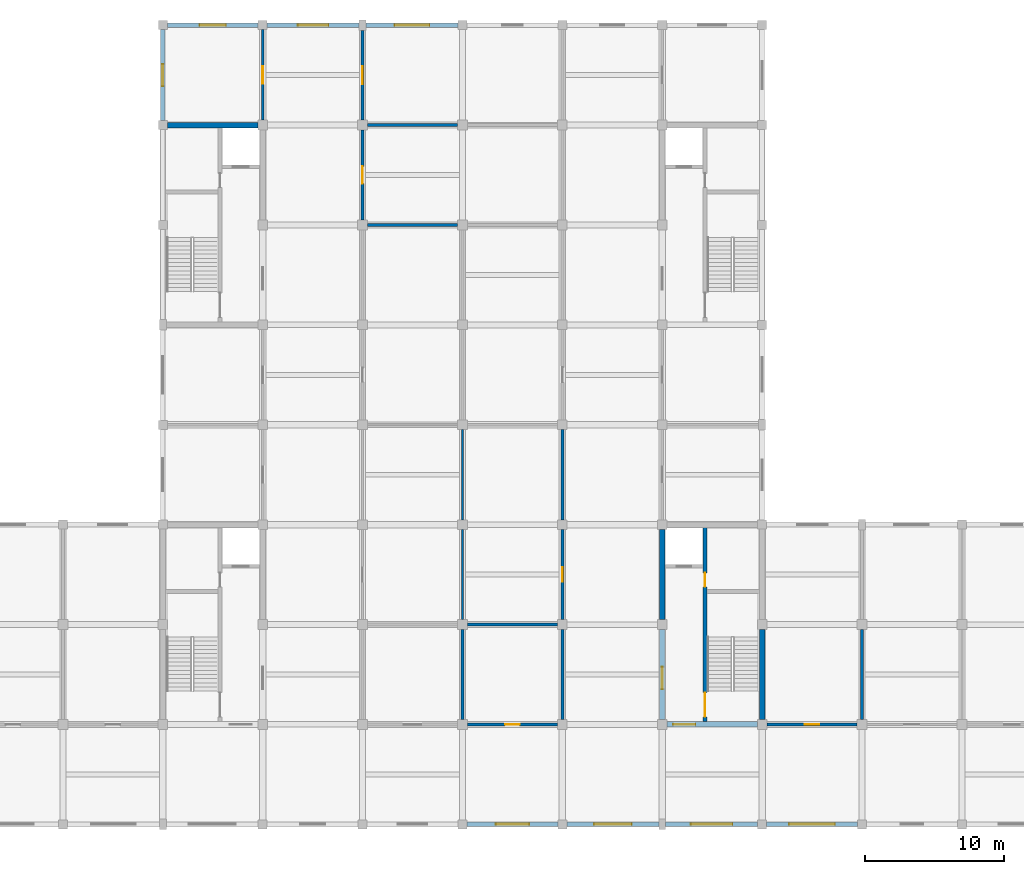
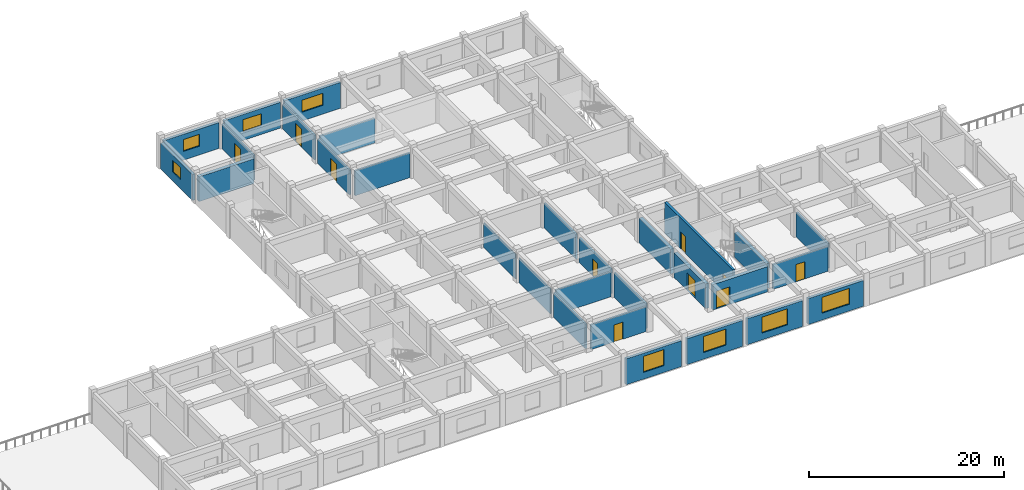
# One storey, part 6 of 10: 29 walls, 10 doors, 8 windows, 18 openings.
"""IFC4 building model written with IfcOpenShell, lengths in metres."""

import ifcopenshell
import ifcopenshell.guid

model = None  # the IFC model being written
_history = None  # IfcOwnerHistory: only IFC2X3 demands one
_inside = {}  # id of a spatial element -> (the spatial element, [elements in it])
_under = {}  # id of a project, library or spatial element -> (it, [spatial elements below it])
_declared = {}  # id of a project -> (the project, [libraries it declares])
_typed = {}  # id of a type object -> (the type object, [elements of that type])
_made_of = {}  # id of a material, layer set ... -> (it, [elements and type objects made of it])


def new_model(schema):
    """Start an empty IFC model of exactly this schema.

    Asked for "IFC4X3", IfcOpenShell would pick the latest addendum, in which some entities
    have other attributes; the version numbers below select the first issue.
    IFC2X3 requires an IfcOwnerHistory on every rooted entity: one is made here for all.
    """
    global model, _history
    if schema == "IFC4X3":
        model = ifcopenshell.file(schema_version=(4, 3, 0, 0))
    else:
        model = ifcopenshell.file(schema=schema)
    _inside.clear()
    _under.clear()
    _declared.clear()
    _typed.clear()
    _made_of.clear()
    _history = None
    if model.schema == "IFC2X3":
        org = make("IfcOrganization", Name="unknown")
        user = make(
            "IfcPersonAndOrganization",
            ThePerson=make("IfcPerson", FamilyName="unknown"),
            TheOrganization=org,
        )
        app = make(
            "IfcApplication",
            ApplicationDeveloper=org,
            Version="unknown",
            ApplicationFullName="unknown",
            ApplicationIdentifier="unknown",
        )
        _history = make(
            "IfcOwnerHistory",
            OwningUser=user,
            OwningApplication=app,
            ChangeAction="ADDED",
            CreationDate=0,
        )
    return model


def make(cls, **values):
    """One entity of the class cls with the attributes given. An attribute that is None is left unset."""
    return model.create_entity(
        cls, **{name: value for name, value in values.items() if value is not None}
    )


def rooted(cls, **values):
    """An entity with a GlobalId (a new one), such as an element, a storey or a relation."""
    return make(cls, GlobalId=ifcopenshell.guid.new(), OwnerHistory=_history, **values)


def si_unit(unit_type, name, prefix=None):
    """IfcSIUnit, for example si_unit("LENGTHUNIT", "METRE", prefix="MILLI")."""
    return make("IfcSIUnit", UnitType=unit_type, Prefix=prefix, Name=name)


def assignment(units):
    """IfcUnitAssignment: the units of a project."""
    return None if units is None else make("IfcUnitAssignment", Units=units)


def point(xyz):
    """IfcCartesianPoint."""
    return None if xyz is None else make("IfcCartesianPoint", Coordinates=xyz)


def direction(xyz):
    """IfcDirection."""
    return None if xyz is None else make("IfcDirection", DirectionRatios=xyz)


def frame(location, z_axis=None, x_axis=None):
    """IfcAxis2Placement3D, a coordinate frame: its origin and axes. An axis left out is left unset."""
    return make(
        "IfcAxis2Placement3D",
        Location=point(location),
        Axis=direction(z_axis),
        RefDirection=direction(x_axis),
    )


def frame_2d(location, x_axis=None):
    """IfcAxis2Placement2D, a coordinate frame in the plane: its origin and x axis."""
    return make(
        "IfcAxis2Placement2D", Location=point(location), RefDirection=direction(x_axis)
    )


def origin():
    """The frame at (0, 0, 0) with its axes left unset."""
    return frame((0.0, 0.0, 0.0))


def place(relative_to, where):
    """IfcLocalPlacement: puts the frame where relative to a parent placement (None: the world)."""
    return make(
        "IfcLocalPlacement", PlacementRelTo=relative_to, RelativePlacement=where
    )


def context(
    kind, dimensions, precision=None, world=None, true_north=None, identifier=None
):
    """IfcGeometricRepresentationContext, for example the 3D "Model" context."""
    return make(
        "IfcGeometricRepresentationContext",
        ContextIdentifier=identifier,
        ContextType=kind,
        CoordinateSpaceDimension=dimensions,
        Precision=precision,
        WorldCoordinateSystem=world,
        TrueNorth=true_north,
    )


def subcontext(parent, identifier, kind, view, scale=None):
    """IfcGeometricRepresentationSubContext, for example "Body" below "Model"."""
    return make(
        "IfcGeometricRepresentationSubContext",
        ContextIdentifier=identifier,
        ContextType=kind,
        ParentContext=parent,
        TargetScale=scale,
        TargetView=view,
    )


def project(units=None, contexts=None):
    """IfcProject with its units and contexts."""
    return rooted(
        "IfcProject",
        Name="project",
        RepresentationContexts=contexts,
        UnitsInContext=assignment(units),
    )


def spatial(cls, under=None, at=None, **own):
    """A site, building, storey or space (cls), placed at a placement, below another one or the project."""
    s = rooted(cls, ObjectPlacement=at, **own)
    if under is not None:
        _under.setdefault(under.id(), (under, []))[1].append(s)
    return s


def profile(cls, at=None, kind="AREA", **sizes):
    """A parametric profile (cls). Its sizes go by their IFC names, for example OverallWidth=200.0."""
    return make(cls, ProfileType=kind, Position=at, **sizes)


def rectangle(**sizes):
    """IfcRectangleProfileDef."""
    return profile("IfcRectangleProfileDef", **sizes)


def extrude(swept, where, along, depth):
    """IfcExtrudedAreaSolid: the profile swept, set in the frame where, extruded along a direction by depth."""
    return make(
        "IfcExtrudedAreaSolid",
        SweptArea=swept,
        Position=where,
        ExtrudedDirection=direction(along),
        Depth=depth,
    )


def shape(context_of_items, identifier, shape_type, items):
    """IfcShapeRepresentation: the items that make up one representation, for example the "Body"."""
    return make(
        "IfcShapeRepresentation",
        ContextOfItems=context_of_items,
        RepresentationIdentifier=identifier,
        RepresentationType=shape_type,
        Items=items,
    )


def material(Name=None, Category=None):
    """IfcMaterial."""
    return make("IfcMaterial", Name=Name, Category=Category)


def layer(
    of_material, thickness, ventilated=None, Name=None, Category=None, Priority=None
):
    """IfcMaterialLayer: one layer of a wall or slab, of a material (None: an air gap)."""
    return make(
        "IfcMaterialLayer",
        Material=of_material,
        LayerThickness=thickness,
        IsVentilated=ventilated,
        Name=Name,
        Category=Category,
        Priority=Priority,
    )


def layer_set(layers, Name=None):
    """IfcMaterialLayerSet."""
    return make("IfcMaterialLayerSet", MaterialLayers=layers, LayerSetName=Name)


def made_of(thing, what):
    """Note that an element or type object is made of a material, layer set ...; save() writes the relation."""
    if what is not None:
        _made_of.setdefault(what.id(), (what, []))[1].append(thing)
    return thing


def type_object(cls, material=None, **own):
    """A type object (cls), such as IfcWallType, which elements share."""
    return made_of(rooted(cls, **own), material)


def element(
    cls,
    number,
    at=None,
    inside=None,
    cuts=None,
    type_object=None,
    material=None,
    context=None,
    identifier="Body",
    shape_type=None,
    held_by="IfcProductDefinitionShape",
    body=None,
    shapes=None,
    **own,
):
    """One element of the class cls, such as IfcWall. Its Tag is "e" and its number.

    at: its placement. inside: the storey or other place that contains it. cuts: it is an
    opening in that element (IfcRelVoidsElement). A single representation is given by context,
    identifier, shape_type and body (its items); several are given by shapes. held_by: the class
    of the entity that holds the representations. save() writes the other relations.
    """
    e = rooted(cls, Tag="e%d" % number, ObjectPlacement=at, **own)
    if body is not None:
        shapes = [shape(context, identifier, shape_type, body)]
    if shapes is not None:
        e.Representation = make(held_by, Representations=shapes)
    if inside is not None:
        _inside.setdefault(inside.id(), (inside, []))[1].append(e)
    if cuts is not None:
        rooted(
            "IfcRelVoidsElement", RelatingBuildingElement=cuts, RelatedOpeningElement=e
        )
    if type_object is not None:
        _typed.setdefault(type_object.id(), (type_object, []))[1].append(e)
    return made_of(e, material)


def fill(opening, filler):
    """IfcRelFillsElement: the door or window that sits in an opening."""
    return rooted(
        "IfcRelFillsElement",
        RelatingOpeningElement=opening,
        RelatedBuildingElement=filler,
    )


def aggregate(whole, parts):
    """IfcRelAggregates: a whole, such as a stair, and the parts it consists of."""
    return rooted("IfcRelAggregates", RelatingObject=whole, RelatedObjects=parts)


def save(model, path):
    """Write the relations noted so far, then the file.

    IfcRelAggregates (storeys below a building ...), IfcRelContainedInSpatialStructure (elements
    in a storey), IfcRelDefinesByType, IfcRelAssociatesMaterial and IfcRelDeclares: one each for
    every whole, place, type object, material and project.
    """
    for whole, parts in _under.values():
        aggregate(whole, parts)
    for where, things in _inside.values():
        rooted(
            "IfcRelContainedInSpatialStructure",
            RelatedElements=things,
            RelatingStructure=where,
        )
    for kind, things in _typed.values():
        rooted("IfcRelDefinesByType", RelatedObjects=things, RelatingType=kind)
    for what, things in _made_of.values():
        rooted("IfcRelAssociatesMaterial", RelatedObjects=things, RelatingMaterial=what)
    for by, libraries in _declared.values():
        rooted("IfcRelDeclares", RelatingContext=by, RelatedDefinitions=libraries)
    model.write(path)


model = new_model("IFC4")

# Units and contexts
model_context = context("Model", 3, precision=1e-05, world=origin(), true_north=direction((0.0, 1.0)))
body_context = subcontext(model_context, "Body", "Model", "MODEL_VIEW")
ifc_project = project(units=[si_unit("LENGTHUNIT", "METRE"), si_unit("AREAUNIT", "SQUARE_METRE"), si_unit("VOLUMEUNIT", "CUBIC_METRE"), si_unit("PLANEANGLEUNIT", "RADIAN"), si_unit("MASSUNIT", "GRAM", prefix="KILO")], contexts=[model_context])

# Site, building, storey
site_placement = place(None, origin())
site = spatial("IfcSite", under=ifc_project, at=site_placement, CompositionType="ELEMENT")
building_placement = place(site_placement, origin())
building = spatial("IfcBuilding", under=site, at=building_placement, Name="Cendaluz Park School", CompositionType="ELEMENT")
storey_placement = place(building_placement, frame((0.0, 0.0, 30.60009765625)))
storey = spatial("IfcBuildingStorey", under=building, at=storey_placement, Name="L07", CompositionType="ELEMENT", Elevation=30.60009765625)

# Walls
ifc_material_1 = material(Name="Gypsum Plasterboard on Cold-Formed Stud", Category="gypsum")
ifc_layer_1 = layer(ifc_material_1, 0.199951171875)
ifc_layer_set_1 = layer_set([ifc_layer_1], Name="Gypsum Plasterboard on Cold-Formed Stud")
wall_type_1 = type_object("IfcWallType", Name="W-AC20", PredefinedType="PARTITIONING", material=ifc_layer_set_1)
for number, where, z_axis, x_axis, name in (
    (1, (79.550048828125, 50.39990234375, 0.0), (0.0, 0.0, 1.0), (1.0, 0.0, 0.0), "WL-FH-BM8"),
    (2, (79.550048828125, 57.60009765625, 0.0), (0.0, 0.0, 1.0), (1.0, 0.0, 0.0), "WL-FH-BM9"),
):
    element("IfcWall", number, at=place(storey_placement, frame(where, z_axis=z_axis, x_axis=x_axis)), inside=storey, type_object=wall_type_1, Name=name, PredefinedType="PARTITIONING", context=body_context, shape_type="SweptSolid", body=[
        extrude(rectangle(XDim=6.5, YDim=0.199951171875, at=frame_2d((3.25, 0.0))), origin(), (0.0, 0.0, 1.0), 3.10986328125),
    ])

# Wall, opening, door
wall_1_placement = place(storey_placement, frame((79.199951171875, 50.75, 0.0), z_axis=(0.0, 0.0, 1.0), x_axis=(0.0, 1.0, 0.0)))
wall_1 = element("IfcWall", 3, at=wall_1_placement, inside=storey, type_object=wall_type_1, Name="WL-FH-BN0", PredefinedType="PARTITIONING", context=body_context, shape_type="SweptSolid", body=[
    extrude(rectangle(XDim=6.5, YDim=0.199951171875, at=frame_2d((3.25, 0.0))), origin(), (0.0, 0.0, 1.0), 3.10986328125),
])
opening_1_placement = place(wall_1_placement, frame((2.6298828125, 0.0, 0.0)))
opening_1 = element("IfcOpeningElement", 4, at=opening_1_placement, cuts=wall_1, Name="Opening DCL-09", PredefinedType="OPENING", context=body_context, shape_type="SweptSolid", body=[
    extrude(rectangle(XDim=1.239990234375, YDim=2.260009765625, at=frame_2d((0.6201171875, 1.1298828125))), frame((0.0, 0.112060546875, 0.0), z_axis=(0.0, -1.0, 0.0), x_axis=(1.0, 0.0, 0.0)), (0.0, 0.0, 1.0), 0.223876953125),
])
ifc_material_2 = material(Name="Solid Core Hardwood", Category="wood")
door_type_1 = type_object("IfcDoorType", Name="DCL-09", OperationType="NOTDEFINED", PredefinedType="DOOR", material=ifc_material_2)
door_1_placement = place(opening_1_placement, frame((1.239990234375, 0.0, 0.0), z_axis=(0.0, 0.0, 1.0), x_axis=(-1.0, 0.0, 0.0)))
door_1 = element("IfcDoor", 5, at=door_1_placement, inside=storey, type_object=door_type_1, Name="D-L07-029", OperationType="SINGLE_SWING_RIGHT", OverallHeight=2.260009765625, OverallWidth=1.239990234375, PredefinedType="DOOR", context=body_context, shape_type="SweptSolid", body=[
    extrude(rectangle(XDim=1.239990234375, YDim=2.260009765625, at=frame_2d((0.6201171875, 1.1298828125))), frame((0.0, 0.02490234375, 0.0), z_axis=(0.0, -1.0, 0.0), x_axis=(1.0, 0.0, 0.0)), (0.0, 0.0, 1.0), 0.050048828125),
])
fill(opening_1, door_1)

wall_2_placement = place(storey_placement, frame((79.199951171875, 57.949951171875, 0.0), z_axis=(0.0, 0.0, 1.0), x_axis=(0.0, 1.0, 0.0)))
wall_2 = element("IfcWall", 6, at=wall_2_placement, inside=storey, type_object=wall_type_1, Name="WL-FH-BN4", PredefinedType="PARTITIONING", context=body_context, shape_type="SweptSolid", body=[
    extrude(rectangle(XDim=6.47509765625, YDim=0.199951171875, at=frame_2d((3.237548828125, 0.0))), origin(), (0.0, 0.0, 1.0), 3.10986328125),
])
opening_2_placement = place(wall_2_placement, frame((2.597412109375, 0.0, 0.0)))
opening_2 = element("IfcOpeningElement", 7, at=opening_2_placement, cuts=wall_2, Name="Opening DCL-10", PredefinedType="OPENING", context=body_context, shape_type="SweptSolid", body=[
    extrude(rectangle(XDim=1.280029296875, YDim=2.280029296875, at=frame_2d((0.64013671875, 1.14013671875))), frame((0.0, 0.112060546875, 0.0), z_axis=(0.0, -1.0, 0.0), x_axis=(1.0, 0.0, 0.0)), (0.0, 0.0, 1.0), 0.223876953125),
])
door_type_2 = type_object("IfcDoorType", Name="DCL-10", OperationType="NOTDEFINED", PredefinedType="DOOR", material=ifc_material_2)
door_2_placement = place(opening_2_placement, frame((1.280029296875, 0.0, 0.0), z_axis=(0.0, 0.0, 1.0), x_axis=(-1.0, 0.0, 0.0)))
door_2 = element("IfcDoor", 8, at=door_2_placement, inside=storey, type_object=door_type_2, Name="D-L07-030", OperationType="SINGLE_SWING_LEFT", OverallHeight=2.280029296875, OverallWidth=1.280029296875, PredefinedType="DOOR", context=body_context, shape_type="SweptSolid", body=[
    extrude(rectangle(XDim=1.280029296875, YDim=2.280029296875, at=frame_2d((0.64013671875, 1.14013671875))), frame((0.0, 0.02490234375, 0.0), z_axis=(0.0, -1.0, 0.0), x_axis=(1.0, 0.0, 0.0)), (0.0, 0.0, 1.0), 0.050048828125),
])
fill(opening_2, door_2)

wall_3_placement = place(storey_placement, frame((108.35009765625, 14.39990234375, 0.0), z_axis=(0.0, 0.0, 1.0), x_axis=(1.0, 0.0, 0.0)))
wall_3 = element("IfcWall", 9, at=wall_3_placement, inside=storey, type_object=wall_type_1, Name="WL-FH-BO3", PredefinedType="PARTITIONING", context=body_context, shape_type="SweptSolid", body=[
    extrude(rectangle(XDim=6.5, YDim=0.199951171875, at=frame_2d((3.25, 0.0))), origin(), (0.0, 0.0, 1.0), 3.10986328125),
])
opening_3_placement = place(wall_3_placement, frame((2.719970703125, 0.0, 0.0)))
opening_3 = element("IfcOpeningElement", 10, at=opening_3_placement, cuts=wall_3, Name="Opening DCL-04", PredefinedType="OPENING", context=body_context, shape_type="SweptSolid", body=[
    extrude(rectangle(XDim=1.06005859375, YDim=2.159912109375, at=frame_2d((0.530029296875, 1.080078125))), frame((0.0, 0.112060546875, 0.0), z_axis=(0.0, -1.0, 0.0), x_axis=(1.0, 0.0, 0.0)), (0.0, 0.0, 1.0), 0.223876953125),
])
door_type_3 = type_object("IfcDoorType", Name="DCL-04", OperationType="NOTDEFINED", PredefinedType="DOOR", material=ifc_material_2)
door_3_placement = place(opening_3_placement, origin())
door_3 = element("IfcDoor", 11, at=door_3_placement, inside=storey, type_object=door_type_3, Name="D-L07-034", OperationType="SINGLE_SWING_LEFT", OverallHeight=2.159912109375, OverallWidth=1.06005859375, PredefinedType="DOOR", context=body_context, shape_type="SweptSolid", body=[
    extrude(rectangle(XDim=1.06005859375, YDim=2.159912109375, at=frame_2d((0.530029296875, 1.080078125))), frame((0.0, 0.02490234375, 0.0), z_axis=(0.0, -1.0, 0.0), x_axis=(1.0, 0.0, 0.0)), (0.0, 0.0, 1.0), 0.050048828125),
])
fill(opening_3, door_3)

# Wall
wall_4_placement = place(storey_placement, frame((115.199951171875, 14.75, 0.0), z_axis=(0.0, 0.0, 1.0), x_axis=(0.0, 1.0, 0.0)))
element("IfcWall", 12, at=wall_4_placement, inside=storey, type_object=wall_type_1, Name="WL-FH-BO4", PredefinedType="PARTITIONING", context=body_context, shape_type="SweptSolid", body=[
    extrude(rectangle(XDim=6.5, YDim=0.199951171875, at=frame_2d((3.25, 0.0))), origin(), (0.0, 0.0, 1.0), 3.10986328125),
])

# Wall, opening, door
wall_5_placement = place(storey_placement, frame((72.0, 57.949951171875, 0.0), z_axis=(0.0, 0.0, 1.0), x_axis=(0.0, 1.0, 0.0)))
wall_5 = element("IfcWall", 13, at=wall_5_placement, inside=storey, type_object=wall_type_1, Name="WL-FH-BP3", PredefinedType="PARTITIONING", context=body_context, shape_type="SweptSolid", body=[
    extrude(rectangle(XDim=6.525146484375, YDim=0.199951171875, at=frame_2d((3.2626953125, 0.0))), origin(), (0.0, 0.0, 1.0), 3.10986328125),
])
opening_4_placement = place(wall_5_placement, frame((2.642578125, 0.0, 0.0)))
opening_4 = element("IfcOpeningElement", 14, at=opening_4_placement, cuts=wall_5, Name="Opening DCL-09", PredefinedType="OPENING", context=body_context, shape_type="SweptSolid", body=[
    extrude(rectangle(XDim=1.239990234375, YDim=2.260009765625, at=frame_2d((0.6201171875, 1.1298828125))), frame((0.0, 0.112060546875, 0.0), z_axis=(0.0, -1.0, 0.0), x_axis=(1.0, 0.0, 0.0)), (0.0, 0.0, 1.0), 0.223876953125),
])
door_4_placement = place(opening_4_placement, origin())
door_4 = element("IfcDoor", 15, at=door_4_placement, inside=storey, type_object=door_type_1, Name="D-L07-039", OperationType="SINGLE_SWING_RIGHT", OverallHeight=2.260009765625, OverallWidth=1.239990234375, PredefinedType="DOOR", context=body_context, shape_type="SweptSolid", body=[
    extrude(rectangle(XDim=1.239990234375, YDim=2.260009765625, at=frame_2d((0.6201171875, 1.1298828125))), frame((0.0, 0.02490234375, 0.0), z_axis=(0.0, -1.0, 0.0), x_axis=(1.0, 0.0, 0.0)), (0.0, 0.0, 1.0), 0.050048828125),
])
fill(opening_4, door_4)

# Wall
wall_6_placement = place(storey_placement, frame((86.39990234375, 14.75, 0.0), z_axis=(0.0, 0.0, 1.0), x_axis=(0.0, 1.0, 0.0)))
element("IfcWall", 16, at=wall_6_placement, inside=storey, type_object=wall_type_1, Name="WL-FH-BP7", PredefinedType="PARTITIONING", context=body_context, shape_type="SweptSolid", body=[
    extrude(rectangle(XDim=6.5, YDim=0.199951171875, at=frame_2d((3.25, 0.0))), origin(), (0.0, 0.0, 1.0), 3.10986328125),
])

# Wall, opening, door
wall_7_placement = place(storey_placement, frame((86.75, 14.39990234375, 0.0), z_axis=(0.0, 0.0, 1.0), x_axis=(1.0, 0.0, 0.0)))
wall_7 = element("IfcWall", 17, at=wall_7_placement, inside=storey, type_object=wall_type_1, Name="WL-FH-BQ7", PredefinedType="PARTITIONING", context=body_context, shape_type="SweptSolid", body=[
    extrude(rectangle(XDim=6.5, YDim=0.199951171875, at=frame_2d((3.25, 0.0))), origin(), (0.0, 0.0, 1.0), 3.10986328125),
])
opening_5_placement = place(wall_7_placement, frame((2.72998046875, 0.0, 0.0)))
opening_5 = element("IfcOpeningElement", 18, at=opening_5_placement, cuts=wall_7, Name="Opening DCL-03", PredefinedType="OPENING", context=body_context, shape_type="SweptSolid", body=[
    extrude(rectangle(XDim=1.0400390625, YDim=2.139892578125, at=frame_2d((0.52001953125, 1.06982421875))), frame((0.0, 0.112060546875, 0.0), z_axis=(0.0, -1.0, 0.0), x_axis=(1.0, 0.0, 0.0)), (0.0, 0.0, 1.0), 0.223876953125),
])
door_type_4 = type_object("IfcDoorType", Name="DCL-03", OperationType="NOTDEFINED", PredefinedType="DOOR", material=ifc_material_2)
door_5_placement = place(opening_5_placement, origin())
door_5 = element("IfcDoor", 19, at=door_5_placement, inside=storey, type_object=door_type_4, Name="D-L07-043", OperationType="SINGLE_SWING_RIGHT", OverallHeight=2.139892578125, OverallWidth=1.0400390625, PredefinedType="DOOR", context=body_context, shape_type="SweptSolid", body=[
    extrude(rectangle(XDim=1.0400390625, YDim=2.139892578125, at=frame_2d((0.52001953125, 1.06982421875))), frame((0.0, 0.02490234375, 0.0), z_axis=(0.0, -1.0, 0.0), x_axis=(1.0, 0.0, 0.0)), (0.0, 0.0, 1.0), 0.050048828125),
])
fill(opening_5, door_5)

# Walls
for number, where, z_axis, x_axis, name in (
    (20, (86.75, 21.60009765625, 0.0), (0.0, 0.0, 1.0), (1.0, 0.0, 0.0), "WL-FH-BQ8"),
    (21, (93.60009765625, 14.75, 0.0), (0.0, 0.0, 1.0), (0.0, 1.0, 0.0), "WL-FH-BQ9"),
):
    element("IfcWall", number, at=place(storey_placement, frame(where, z_axis=z_axis, x_axis=x_axis)), inside=storey, type_object=wall_type_1, Name=name, PredefinedType="PARTITIONING", context=body_context, shape_type="SweptSolid", body=[
        extrude(rectangle(XDim=6.5, YDim=0.199951171875, at=frame_2d((3.25, 0.0))), origin(), (0.0, 0.0, 1.0), 3.10986328125),
    ])

# Wall, opening, door
wall_8_placement = place(storey_placement, frame((93.60009765625, 21.949951171875, 0.0), z_axis=(0.0, 0.0, 1.0), x_axis=(0.0, 1.0, 0.0)))
wall_8 = element("IfcWall", 22, at=wall_8_placement, inside=storey, type_object=wall_type_1, Name="WL-FH-BR0", PredefinedType="PARTITIONING", context=body_context, shape_type="SweptSolid", body=[
    extrude(rectangle(XDim=6.5, YDim=0.199951171875, at=frame_2d((3.25, 0.0))), origin(), (0.0, 0.0, 1.0), 3.10986328125),
])
opening_6_placement = place(wall_8_placement, frame((2.719970703125, 0.0, 0.0)))
opening_6 = element("IfcOpeningElement", 23, at=opening_6_placement, cuts=wall_8, Name="Opening DCL-04", PredefinedType="OPENING", context=body_context, shape_type="SweptSolid", body=[
    extrude(rectangle(XDim=1.06005859375, YDim=2.159912109375, at=frame_2d((0.530029296875, 1.080078125))), frame((0.0, 0.112060546875, 0.0), z_axis=(0.0, -1.0, 0.0), x_axis=(1.0, 0.0, 0.0)), (0.0, 0.0, 1.0), 0.223876953125),
])
door_6_placement = place(opening_6_placement, origin())
door_6 = element("IfcDoor", 24, at=door_6_placement, inside=storey, type_object=door_type_3, Name="D-L07-044", OperationType="SINGLE_SWING_LEFT", OverallHeight=2.159912109375, OverallWidth=1.06005859375, PredefinedType="DOOR", context=body_context, shape_type="SweptSolid", body=[
    extrude(rectangle(XDim=1.06005859375, YDim=2.159912109375, at=frame_2d((0.530029296875, 1.080078125))), frame((0.0, 0.02490234375, 0.0), z_axis=(0.0, -1.0, 0.0), x_axis=(1.0, 0.0, 0.0)), (0.0, 0.0, 1.0), 0.050048828125),
])
fill(opening_6, door_6)

# Wall
wall_9_placement = place(storey_placement, frame((93.60009765625, 29.14990234375, 0.0), z_axis=(0.0, 0.0, 1.0), x_axis=(0.0, 1.0, 0.0)))
element("IfcWall", 25, at=wall_9_placement, inside=storey, type_object=wall_type_1, Name="WL-FH-BR2", PredefinedType="PARTITIONING", context=body_context, shape_type="SweptSolid", body=[
    extrude(rectangle(XDim=6.5, YDim=0.199951171875, at=frame_2d((3.25, 0.0))), origin(), (0.0, 0.0, 1.0), 3.10986328125),
])

# Wall, opening, window
ifc_material_3 = material(Name="Concrete C40/50 precast", Category="concrete")
ifc_layer_2 = layer(ifc_material_3, 0.320068359375)
ifc_layer_set_2 = layer_set([ifc_layer_2], Name="Concrete C40/50 precast")
wall_type_2 = type_object("IfcWallType", Name="W-EX32", PredefinedType="SOLIDWALL", material=ifc_layer_set_2)
wall_10_placement = place(storey_placement, frame((65.125, 64.800048828125, 0.0), z_axis=(0.0, 0.0, 1.0), x_axis=(1.0, 0.0, 0.0)))
wall_10 = element("IfcWall", 26, at=wall_10_placement, inside=storey, type_object=wall_type_2, Name="WL-FH-AB1", PredefinedType="SOLIDWALL", context=body_context, shape_type="SweptSolid", body=[
    extrude(rectangle(XDim=6.550048828125, YDim=0.320068359375, at=frame_2d((3.27490234375, 0.0))), origin(), (0.0, 0.0, 1.0), 3.25),
])
opening_7_placement = place(wall_10_placement, frame((2.324951171875, 0.0, 1.10009765625)))
opening_7 = element("IfcOpeningElement", 27, at=opening_7_placement, cuts=wall_10, Name="Opening WN-17", PredefinedType="OPENING", context=body_context, shape_type="SweptSolid", body=[
    extrude(rectangle(XDim=1.89990234375, YDim=1.5, at=frame_2d((0.949951171875, 0.75))), frame((0.0, 0.172119140625, 0.0), z_axis=(0.0, -1.0, 0.0), x_axis=(1.0, 0.0, 0.0)), (0.0, 0.0, 1.0), 0.343994140625),
])
ifc_material_4 = material(Name="Tempered Low-E Double Glazing", Category="glass")
window_type_1 = type_object("IfcWindowType", Name="WN-17", PartitioningType="SINGLE_PANEL", PredefinedType="WINDOW", material=ifc_material_4)
window_1_placement = place(opening_7_placement, origin())
window_1 = element("IfcWindow", 28, at=window_1_placement, inside=storey, type_object=window_type_1, Name="WN-L07-011", OverallHeight=1.5, OverallWidth=1.89990234375, PartitioningType="SINGLE_PANEL", PredefinedType="WINDOW", context=body_context, shape_type="SweptSolid", body=[
    extrude(rectangle(XDim=1.89990234375, YDim=1.5, at=frame_2d((0.949951171875, 0.75))), frame((0.0, 0.030029296875, 0.0), z_axis=(0.0, -1.0, 0.0), x_axis=(1.0, 0.0, 0.0)), (0.0, 0.0, 1.0), 0.06005859375),
])
fill(opening_7, window_1)

wall_11_placement = place(storey_placement, frame((64.800048828125, 57.925048828125, 0.0), z_axis=(0.0, 0.0, 1.0), x_axis=(0.0, 1.0, 0.0)))
wall_11 = element("IfcWall", 29, at=wall_11_placement, inside=storey, type_object=wall_type_2, Name="WL-FH-AB2", PredefinedType="SOLIDWALL", context=body_context, shape_type="SweptSolid", body=[
    extrude(rectangle(XDim=6.550048828125, YDim=0.320068359375, at=frame_2d((3.27490234375, 0.0))), origin(), (0.0, 0.0, 1.0), 3.25),
])
opening_8_placement = place(wall_11_placement, frame((2.47509765625, 0.0, 1.10009765625)))
opening_8 = element("IfcOpeningElement", 30, at=opening_8_placement, cuts=wall_11, Name="Opening WN-16", PredefinedType="OPENING", context=body_context, shape_type="SweptSolid", body=[
    extrude(rectangle(XDim=1.60009765625, YDim=1.5, at=frame_2d((0.800048828125, 0.75))), frame((0.0, 0.172119140625, 0.0), z_axis=(0.0, -1.0, 0.0), x_axis=(1.0, 0.0, 0.0)), (0.0, 0.0, 1.0), 0.343994140625),
])
window_type_2 = type_object("IfcWindowType", Name="WN-16", PartitioningType="SINGLE_PANEL", PredefinedType="WINDOW", material=ifc_material_4)
window_2_placement = place(opening_8_placement, origin())
window_2 = element("IfcWindow", 31, at=window_2_placement, inside=storey, type_object=window_type_2, Name="WN-L07-012", OverallHeight=1.5, OverallWidth=1.60009765625, PartitioningType="SINGLE_PANEL", PredefinedType="WINDOW", context=body_context, shape_type="SweptSolid", body=[
    extrude(rectangle(XDim=1.60009765625, YDim=1.5, at=frame_2d((0.800048828125, 0.75))), frame((0.0, 0.030029296875, 0.0), z_axis=(0.0, -1.0, 0.0), x_axis=(1.0, 0.0, 0.0)), (0.0, 0.0, 1.0), 0.06005859375),
])
fill(opening_8, window_2)

wall_12_placement = place(storey_placement, frame((72.324951171875, 64.800048828125, 0.0), z_axis=(0.0, 0.0, 1.0), x_axis=(1.0, 0.0, 0.0)))
wall_12 = element("IfcWall", 32, at=wall_12_placement, inside=storey, type_object=wall_type_2, Name="WL-FH-AB4", PredefinedType="SOLIDWALL", context=body_context, shape_type="SweptSolid", body=[
    extrude(rectangle(XDim=6.625, YDim=0.320068359375, at=frame_2d((3.3125, 0.0))), origin(), (0.0, 0.0, 1.0), 3.25),
])
opening_9_placement = place(wall_12_placement, frame((2.21240234375, 0.0, 1.10009765625)))
opening_9 = element("IfcOpeningElement", 33, at=opening_9_placement, cuts=wall_12, Name="Opening WN-18", PredefinedType="OPENING", context=body_context, shape_type="SweptSolid", body=[
    extrude(rectangle(XDim=2.199951171875, YDim=1.5, at=frame_2d((1.10009765625, 0.75))), frame((0.0, 0.172119140625, 0.0), z_axis=(0.0, -1.0, 0.0), x_axis=(1.0, 0.0, 0.0)), (0.0, 0.0, 1.0), 0.343994140625),
])
window_type_3 = type_object("IfcWindowType", Name="WN-18", PartitioningType="SINGLE_PANEL", PredefinedType="WINDOW", material=ifc_material_4)
window_3_placement = place(opening_9_placement, origin())
window_3 = element("IfcWindow", 34, at=window_3_placement, inside=storey, type_object=window_type_3, Name="WN-L07-014", OverallHeight=1.5, OverallWidth=2.199951171875, PartitioningType="SINGLE_PANEL", PredefinedType="WINDOW", context=body_context, shape_type="SweptSolid", body=[
    extrude(rectangle(XDim=2.199951171875, YDim=1.5, at=frame_2d((1.10009765625, 0.75))), frame((0.0, 0.030029296875, 0.0), z_axis=(0.0, -1.0, 0.0), x_axis=(1.0, 0.0, 0.0)), (0.0, 0.0, 1.0), 0.06005859375),
])
fill(opening_9, window_3)

wall_13_placement = place(storey_placement, frame((79.449951171875, 64.800048828125, 0.0), z_axis=(0.0, 0.0, 1.0), x_axis=(1.0, 0.0, 0.0)))
wall_13 = element("IfcWall", 35, at=wall_13_placement, inside=storey, type_object=wall_type_2, Name="WL-FH-AB6", PredefinedType="SOLIDWALL", context=body_context, shape_type="SweptSolid", body=[
    extrude(rectangle(XDim=6.625, YDim=0.320068359375, at=frame_2d((3.3125, 0.0))), origin(), (0.0, 0.0, 1.0), 3.25),
])
opening_10_placement = place(wall_13_placement, frame((2.0625, 0.0, 1.10009765625)))
opening_10 = element("IfcOpeningElement", 36, at=opening_10_placement, cuts=wall_13, Name="Opening WN-19", PredefinedType="OPENING", context=body_context, shape_type="SweptSolid", body=[
    extrude(rectangle(XDim=2.5, YDim=1.5, at=frame_2d((1.25, 0.75))), frame((0.0, 0.172119140625, 0.0), z_axis=(0.0, -1.0, 0.0), x_axis=(1.0, 0.0, 0.0)), (0.0, 0.0, 1.0), 0.343994140625),
])
window_type_4 = type_object("IfcWindowType", Name="WN-19", PartitioningType="SINGLE_PANEL", PredefinedType="WINDOW", material=ifc_material_4)
window_4_placement = place(opening_10_placement, origin())
window_4 = element("IfcWindow", 37, at=window_4_placement, inside=storey, type_object=window_type_4, Name="WN-L07-016", OverallHeight=1.5, OverallWidth=2.5, PartitioningType="SINGLE_PANEL", PredefinedType="WINDOW", context=body_context, shape_type="SweptSolid", body=[
    extrude(rectangle(XDim=2.5, YDim=1.5, at=frame_2d((1.25, 0.75))), frame((0.0, 0.030029296875, 0.0), z_axis=(0.0, -1.0, 0.0), x_axis=(1.0, 0.0, 0.0)), (0.0, 0.0, 1.0), 0.06005859375),
])
fill(opening_10, window_4)

wall_14_placement = place(storey_placement, frame((86.72509765625, 7.199951171875, 0.0), z_axis=(0.0, 0.0, 1.0), x_axis=(1.0, 0.0, 0.0)))
wall_14 = element("IfcWall", 38, at=wall_14_placement, inside=storey, type_object=wall_type_2, Name="WL-FH-AB7", PredefinedType="SOLIDWALL", context=body_context, shape_type="SweptSolid", body=[
    extrude(rectangle(XDim=6.5498046875, YDim=0.320068359375, at=frame_2d((3.27490234375, 0.0))), origin(), (0.0, 0.0, 1.0), 3.25),
])
opening_11_placement = place(wall_14_placement, frame((2.074951171875, 0.0, 0.85009765625)))
opening_11 = element("IfcOpeningElement", 39, at=opening_11_placement, cuts=wall_14, Name="Opening WN-12", PredefinedType="OPENING", context=body_context, shape_type="SweptSolid", body=[
    extrude(rectangle(XDim=2.39990234375, YDim=2.0, at=frame_2d((1.199951171875, 1.0))), frame((0.0, 0.172119140625, 0.0), z_axis=(0.0, -1.0, 0.0), x_axis=(1.0, 0.0, 0.0)), (0.0, 0.0, 1.0), 0.343994140625),
])
window_type_5 = type_object("IfcWindowType", Name="WN-12", PartitioningType="SINGLE_PANEL", PredefinedType="WINDOW", material=ifc_material_4)
window_5_placement = place(opening_11_placement, origin())
window_5 = element("IfcWindow", 40, at=window_5_placement, inside=storey, type_object=window_type_5, Name="WN-L07-017", OverallHeight=2.0, OverallWidth=2.39990234375, PartitioningType="SINGLE_PANEL", PredefinedType="WINDOW", context=body_context, shape_type="SweptSolid", body=[
    extrude(rectangle(XDim=2.39990234375, YDim=2.0, at=frame_2d((1.199951171875, 1.0))), frame((0.0, 0.030029296875, 0.0), z_axis=(0.0, -1.0, 0.0), x_axis=(1.0, 0.0, 0.0)), (0.0, 0.0, 1.0), 0.06005859375),
])
fill(opening_11, window_5)

wall_15_placement = place(storey_placement, frame((93.925048828125, 7.199951171875, 0.0), z_axis=(0.0, 0.0, 1.0), x_axis=(1.0, 0.0, 0.0)))
wall_15 = element("IfcWall", 41, at=wall_15_placement, inside=storey, type_object=wall_type_2, Name="WL-FH-AB9", PredefinedType="SOLIDWALL", context=body_context, shape_type="SweptSolid", body=[
    extrude(rectangle(XDim=6.625, YDim=0.320068359375, at=frame_2d((3.3125, 0.0))), origin(), (0.0, 0.0, 1.0), 3.25),
])
opening_12_placement = place(wall_15_placement, frame((1.96240234375, 0.0, 0.85009765625)))
opening_12 = element("IfcOpeningElement", 42, at=opening_12_placement, cuts=wall_15, Name="Opening WN-13", PredefinedType="OPENING", context=body_context, shape_type="SweptSolid", body=[
    extrude(rectangle(XDim=2.699951171875, YDim=2.0, at=frame_2d((1.35009765625, 1.0))), frame((0.0, 0.172119140625, 0.0), z_axis=(0.0, -1.0, 0.0), x_axis=(1.0, 0.0, 0.0)), (0.0, 0.0, 1.0), 0.343994140625),
])
window_type_6 = type_object("IfcWindowType", Name="WN-13", PartitioningType="SINGLE_PANEL", PredefinedType="WINDOW", material=ifc_material_4)
window_6_placement = place(opening_12_placement, origin())
window_6 = element("IfcWindow", 43, at=window_6_placement, inside=storey, type_object=window_type_6, Name="WN-L07-019", OverallHeight=2.0, OverallWidth=2.699951171875, PartitioningType="SINGLE_PANEL", PredefinedType="WINDOW", context=body_context, shape_type="SweptSolid", body=[
    extrude(rectangle(XDim=2.699951171875, YDim=2.0, at=frame_2d((1.35009765625, 1.0))), frame((0.0, 0.030029296875, 0.0), z_axis=(0.0, -1.0, 0.0), x_axis=(1.0, 0.0, 0.0)), (0.0, 0.0, 1.0), 0.06005859375),
])
fill(opening_12, window_6)

wall_16_placement = place(storey_placement, frame((101.050048828125, 7.199951171875, 0.0), z_axis=(0.0, 0.0, 1.0), x_axis=(1.0, 0.0, 0.0)))
wall_16 = element("IfcWall", 44, at=wall_16_placement, inside=storey, type_object=wall_type_2, Name="WL-FH-AC1", PredefinedType="SOLIDWALL", context=body_context, shape_type="SweptSolid", body=[
    extrude(rectangle(XDim=6.625, YDim=0.320068359375, at=frame_2d((3.3125, 0.0))), origin(), (0.0, 0.0, 1.0), 3.25),
])
opening_13_placement = place(wall_16_placement, frame((1.8125, 0.0, 0.85009765625)))
opening_13 = element("IfcOpeningElement", 45, at=opening_13_placement, cuts=wall_16, Name="Opening WN-14", PredefinedType="OPENING", context=body_context, shape_type="SweptSolid", body=[
    extrude(rectangle(XDim=3.0, YDim=2.0, at=frame_2d((1.5, 1.0))), frame((0.0, 0.172119140625, 0.0), z_axis=(0.0, -1.0, 0.0), x_axis=(1.0, 0.0, 0.0)), (0.0, 0.0, 1.0), 0.343994140625),
])
window_type_7 = type_object("IfcWindowType", Name="WN-14", PartitioningType="SINGLE_PANEL", PredefinedType="WINDOW", material=ifc_material_4)
window_7_placement = place(opening_13_placement, origin())
window_7 = element("IfcWindow", 46, at=window_7_placement, inside=storey, type_object=window_type_7, Name="WN-L07-021", OverallHeight=2.0, OverallWidth=3.0, PartitioningType="SINGLE_PANEL", PredefinedType="WINDOW", context=body_context, shape_type="SweptSolid", body=[
    extrude(rectangle(XDim=3.0, YDim=2.0, at=frame_2d((1.5, 1.0))), frame((0.0, 0.030029296875, 0.0), z_axis=(0.0, -1.0, 0.0), x_axis=(1.0, 0.0, 0.0)), (0.0, 0.0, 1.0), 0.06005859375),
])
fill(opening_13, window_7)

wall_17_placement = place(storey_placement, frame((108.324951171875, 7.199951171875, 0.0), z_axis=(0.0, 0.0, 1.0), x_axis=(1.0, 0.0, 0.0)))
wall_17 = element("IfcWall", 47, at=wall_17_placement, inside=storey, type_object=wall_type_2, Name="WL-FH-AC6", PredefinedType="SOLIDWALL", context=body_context, shape_type="SweptSolid", body=[
    extrude(rectangle(XDim=6.550048828125, YDim=0.320068359375, at=frame_2d((3.27490234375, 0.0))), origin(), (0.0, 0.0, 1.0), 3.25),
])
opening_14_placement = place(wall_17_placement, frame((1.625, 0.0, 0.85009765625)))
opening_14 = element("IfcOpeningElement", 48, at=opening_14_placement, cuts=wall_17, Name="Opening WN-15", PredefinedType="OPENING", context=body_context, shape_type="SweptSolid", body=[
    extrude(rectangle(XDim=3.300048828125, YDim=2.0, at=frame_2d((1.64990234375, 1.0))), frame((0.0, 0.172119140625, 0.0), z_axis=(0.0, -1.0, 0.0), x_axis=(1.0, 0.0, 0.0)), (0.0, 0.0, 1.0), 0.343994140625),
])
window_type_8 = type_object("IfcWindowType", Name="WN-15", PartitioningType="SINGLE_PANEL", PredefinedType="WINDOW", material=ifc_material_4)
window_8_placement = place(opening_14_placement, origin())
window_8 = element("IfcWindow", 49, at=window_8_placement, inside=storey, type_object=window_type_8, Name="WN-L07-026", OverallHeight=2.0, OverallWidth=3.300048828125, PartitioningType="SINGLE_PANEL", PredefinedType="WINDOW", context=body_context, shape_type="SweptSolid", body=[
    extrude(rectangle(XDim=3.300048828125, YDim=2.0, at=frame_2d((1.64990234375, 1.0))), frame((0.0, 0.030029296875, 0.0), z_axis=(0.0, -1.0, 0.0), x_axis=(1.0, 0.0, 0.0)), (0.0, 0.0, 1.0), 0.06005859375),
])
fill(opening_14, window_8)

# Wall, openings, doors
ifc_material_5 = material(Name="Concrete C40/50", Category="concrete")
ifc_layer_3 = layer(ifc_material_5, 0.280029296875)
ifc_layer_set_3 = layer_set([ifc_layer_3], Name="Concrete C40/50")
wall_type_3 = type_object("IfcWallType", Name="W-FW28", PredefinedType="SHEAR", material=ifc_layer_set_3)
wall_18_placement = place(storey_placement, frame((103.8798828125, 14.60009765625, 0.0), z_axis=(0.0, 0.0, 1.0), x_axis=(0.0, 1.0, 0.0)))
wall_18 = element("IfcWall", 50, at=wall_18_placement, inside=storey, type_object=wall_type_3, Name="WL-FH-BI9", PredefinedType="SHEAR", context=body_context, shape_type="SweptSolid", body=[
    extrude(rectangle(XDim=14.0, YDim=0.280029296875, at=frame_2d((7.0, 0.0))), origin(), (0.0, 0.0, 1.0), 3.8798828125),
])
opening_15_placement = place(wall_18_placement, frame((0.35009765625, 0.0, 0.0)))
opening_15 = element("IfcOpeningElement", 51, at=opening_15_placement, cuts=wall_18, Name="Opening DST-03", PredefinedType="OPENING", context=body_context, shape_type="SweptSolid", body=[
    extrude(rectangle(XDim=1.75, YDim=2.14990234375, at=frame_2d((0.875, 1.074951171875))), frame((0.0, 0.152099609375, 0.0), z_axis=(0.0, -1.0, 0.0), x_axis=(1.0, 0.0, 0.0)), (0.0, 0.0, 1.0), 0.303955078125),
])
opening_16_placement = place(wall_18_placement, frame((9.719970703125, 0.0, 0.0)))
opening_16 = element("IfcOpeningElement", 52, at=opening_16_placement, cuts=wall_18, Name="Opening DFC-01", PredefinedType="OPENING", context=body_context, shape_type="SweptSolid", body=[
    extrude(rectangle(XDim=1.0, YDim=2.14990234375, at=frame_2d((0.5, 1.074951171875))), frame((0.0, 0.152099609375, 0.0), z_axis=(0.0, -1.0, 0.0), x_axis=(1.0, 0.0, 0.0)), (0.0, 0.0, 1.0), 0.303955078125),
])
door_type_5 = type_object("IfcDoorType", Name="DFC-01", OperationType="NOTDEFINED", PredefinedType="DOOR", material=ifc_material_2)
door_7_placement = place(opening_16_placement, frame((1.0, 0.0, 0.0), z_axis=(0.0, 0.0, 1.0), x_axis=(-1.0, 0.0, 0.0)))
door_7 = element("IfcDoor", 53, at=door_7_placement, inside=storey, type_object=door_type_5, Name="D-L07-011", OperationType="SINGLE_SWING_LEFT", OverallHeight=2.14990234375, OverallWidth=1.0, PredefinedType="DOOR", context=body_context, shape_type="SweptSolid", body=[
    extrude(rectangle(XDim=1.0, YDim=2.14990234375, at=frame_2d((0.5, 1.074951171875))), frame((0.0, 0.02490234375, 0.0), z_axis=(0.0, -1.0, 0.0), x_axis=(1.0, 0.0, 0.0)), (0.0, 0.0, 1.0), 0.050048828125),
])
fill(opening_16, door_7)
door_type_6 = type_object("IfcDoorType", Name="DST-03", OperationType="DOUBLE_DOOR_SINGLE_SWING", PredefinedType="DOOR", material=ifc_material_2)
door_8_placement = place(opening_15_placement, frame((1.75, 0.0, 0.0), z_axis=(0.0, 0.0, 1.0), x_axis=(-1.0, 0.0, 0.0)))
door_8 = element("IfcDoor", 54, at=door_8_placement, inside=storey, type_object=door_type_6, Name="D-L07-010", OperationType="DOUBLE_DOOR_SINGLE_SWING", OverallHeight=2.14990234375, OverallWidth=1.75, PredefinedType="DOOR", context=body_context, shape_type="SweptSolid", body=[
    extrude(rectangle(XDim=1.75, YDim=2.14990234375, at=frame_2d((0.875, 1.074951171875))), frame((0.0, 0.02490234375, 0.0), z_axis=(0.0, -1.0, 0.0), x_axis=(1.0, 0.0, 0.0)), (0.0, 0.0, 1.0), 0.050048828125),
])
fill(opening_15, door_8)

# Walls
ifc_layer_4 = layer(ifc_material_1, 0.1201171875)
ifc_layer_set_4 = layer_set([ifc_layer_4], Name="Gypsum Plasterboard on Cold-Formed Stud")
wall_type_4 = type_object("IfcWallType", Name="W-MV12", PredefinedType="MOVABLE", material=ifc_layer_set_4)
for number, where, z_axis, x_axis, name in (
    (55, (86.39990234375, 21.949951171875, 0.0), (0.0, 0.0, 1.0), (0.0, 1.0, 0.0), "WL-FH-BP9"),
    (56, (86.39990234375, 29.14990234375, 0.0), (0.0, 0.0, 1.0), (0.0, 1.0, 0.0), "WL-FH-BQ2"),
):
    element("IfcWall", number, at=place(storey_placement, frame(where, z_axis=z_axis, x_axis=x_axis)), inside=storey, type_object=wall_type_4, Name=name, PredefinedType="MOVABLE", context=body_context, shape_type="SweptSolid", body=[
        extrude(rectangle(XDim=6.5, YDim=0.1201171875, at=frame_2d((3.25, 0.0))), origin(), (0.0, 0.0, 1.0), 3.10986328125),
    ])

# Wall, opening, door
ifc_layer_5 = layer(ifc_material_5, 0.39990234375)
ifc_layer_set_5 = layer_set([ifc_layer_5], Name="Concrete C40/50")
wall_type_5 = type_object("IfcWallType", Name="W-SH40", PredefinedType="SHEAR", material=ifc_layer_set_5)
wall_19_placement = place(storey_placement, frame((100.800048828125, 14.75, 0.0), z_axis=(0.0, 0.0, 1.0), x_axis=(0.0, 1.0, 0.0)))
wall_19 = element("IfcWall", 57, at=wall_19_placement, inside=storey, type_object=wall_type_5, Name="WL-FH-BI3", PredefinedType="SHEAR", context=body_context, shape_type="SweptSolid", body=[
    extrude(rectangle(XDim=6.5, YDim=0.39990234375, at=frame_2d((3.25, 0.0))), origin(), (0.0, 0.0, 1.0), 3.10986328125),
])
opening_17_placement = place(wall_19_placement, frame((2.199951171875, 0.0, 0.0)))
opening_17 = element("IfcOpeningElement", 58, at=opening_17_placement, cuts=wall_19, Name="Opening DLB-01", PredefinedType="OPENING", context=body_context, shape_type="SweptSolid", body=[
    extrude(rectangle(XDim=1.60009765625, YDim=2.199951171875, at=frame_2d((0.800048828125, 1.10009765625))), frame((0.0, 0.2119140625, 0.0), z_axis=(0.0, -1.0, 0.0), x_axis=(1.0, 0.0, 0.0)), (0.0, 0.0, 1.0), 0.423828125),
])
door_type_7 = type_object("IfcDoorType", Name="DLB-01", OperationType="DOUBLE_DOOR_SINGLE_SWING", PredefinedType="DOOR", material=ifc_material_2)
door_9_placement = place(opening_17_placement, frame((1.60009765625, 0.0, 0.0), z_axis=(0.0, 0.0, 1.0), x_axis=(-1.0, 0.0, 0.0)))
door_9 = element("IfcDoor", 59, at=door_9_placement, inside=storey, type_object=door_type_7, Name="D-L07-008", OperationType="DOUBLE_DOOR_SINGLE_SWING", OverallHeight=2.199951171875, OverallWidth=1.60009765625, PredefinedType="DOOR", context=body_context, shape_type="SweptSolid", body=[
    extrude(rectangle(XDim=1.60009765625, YDim=2.199951171875, at=frame_2d((0.800048828125, 1.10009765625))), frame((0.0, 0.02490234375, 0.0), z_axis=(0.0, -1.0, 0.0), x_axis=(1.0, 0.0, 0.0)), (0.0, 0.0, 1.0), 0.050048828125),
])
fill(opening_17, door_9)

# Walls
for number, where, z_axis, x_axis, name in (
    (60, (100.800048828125, 21.949951171875, 0.0), (0.0, 0.0, 1.0), (0.0, 1.0, 0.0), "WL-FH-BI4"),
    (61, (108.0, 14.75, 0.0), (0.0, 0.0, 1.0), (0.0, 1.0, 0.0), "WL-FH-BI5"),
):
    element("IfcWall", number, at=place(storey_placement, frame(where, z_axis=z_axis, x_axis=x_axis)), inside=storey, type_object=wall_type_5, Name=name, PredefinedType="SHEAR", context=body_context, shape_type="SweptSolid", body=[
        extrude(rectangle(XDim=6.5, YDim=0.39990234375, at=frame_2d((3.25, 0.0))), origin(), (0.0, 0.0, 1.0), 3.10986328125),
    ])

# Wall, opening, door
wall_20_placement = place(storey_placement, frame((101.14990234375, 14.39990234375, 0.0), z_axis=(0.0, 0.0, 1.0), x_axis=(1.0, 0.0, 0.0)))
wall_20 = element("IfcWall", 62, at=wall_20_placement, inside=storey, type_object=wall_type_5, Name="WL-FH-BI7", PredefinedType="SHEAR", context=body_context, shape_type="SweptSolid", body=[
    extrude(rectangle(XDim=6.5, YDim=0.39990234375, at=frame_2d((3.25, 0.0))), origin(), (0.0, 0.0, 1.0), 3.179931640625),
])
opening_18_placement = place(wall_20_placement, frame((0.429931640625, 0.0, 0.0)))
opening_18 = element("IfcOpeningElement", 63, at=opening_18_placement, cuts=wall_20, Name="Opening DLB-01", PredefinedType="OPENING", context=body_context, shape_type="SweptSolid", body=[
    extrude(rectangle(XDim=1.60009765625, YDim=2.199951171875, at=frame_2d((0.800048828125, 1.10009765625))), frame((0.0, 0.2119140625, 0.0), z_axis=(0.0, -1.0, 0.0), x_axis=(1.0, 0.0, 0.0)), (0.0, 0.0, 1.0), 0.423828125),
])
door_10_placement = place(opening_18_placement, origin())
door_10 = element("IfcDoor", 64, at=door_10_placement, inside=storey, type_object=door_type_7, Name="D-L07-009", OperationType="DOUBLE_DOOR_SINGLE_SWING", OverallHeight=2.199951171875, OverallWidth=1.60009765625, PredefinedType="DOOR", context=body_context, shape_type="SweptSolid", body=[
    extrude(rectangle(XDim=1.60009765625, YDim=2.199951171875, at=frame_2d((0.800048828125, 1.10009765625))), frame((0.0, 0.02490234375, 0.0), z_axis=(0.0, -1.0, 0.0), x_axis=(1.0, 0.0, 0.0)), (0.0, 0.0, 1.0), 0.050048828125),
])
fill(opening_18, door_10)

# Wall
wall_21_placement = place(storey_placement, frame((65.125, 57.60009765625, 0.0), z_axis=(0.0, 0.0, 1.0), x_axis=(1.0, 0.0, 0.0)))
element("IfcWall", 65, at=wall_21_placement, inside=storey, type_object=wall_type_5, Name="WL-FH-BJ7", PredefinedType="SHEAR", context=body_context, shape_type="SweptSolid", body=[
    extrude(rectangle(XDim=6.52490234375, YDim=0.39990234375, at=frame_2d((3.262451171875, 0.0))), origin(), (0.0, 0.0, 1.0), 3.10986328125),
])

save(model, "model.ifc")
